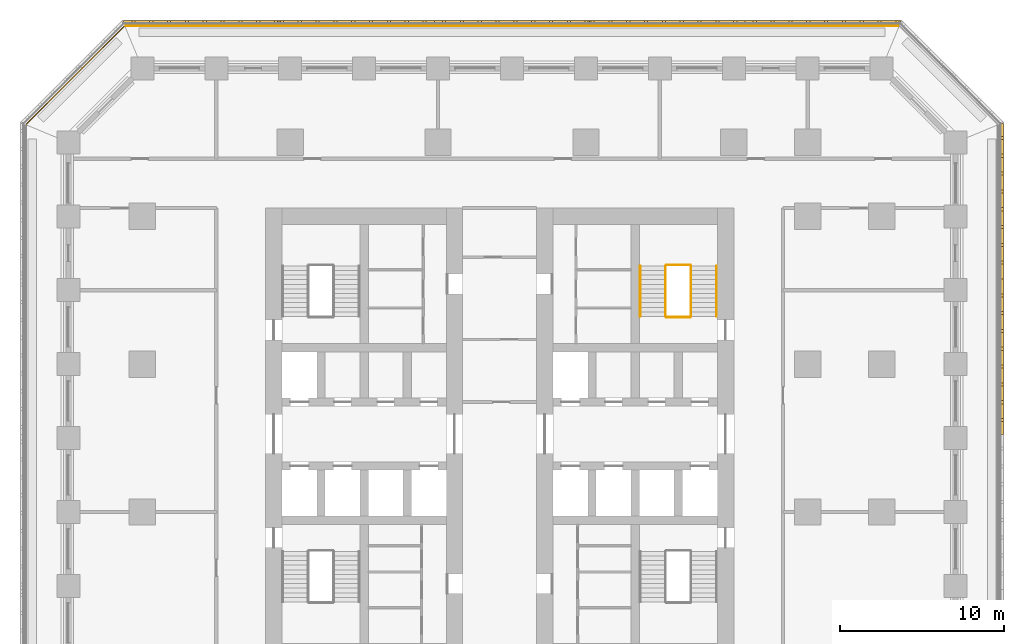
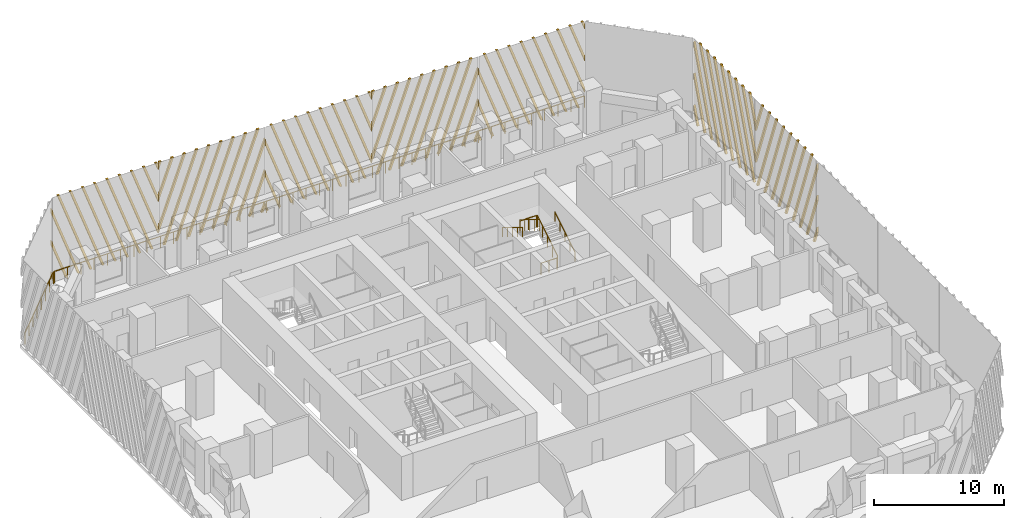
# One storey, part 12 of 14: 8 railings, 7 shading devices.
"""IFC4 building model written with IfcOpenShell, lengths in metres."""

from ifc_helpers import new_model, si_unit, direction, frame, origin, origin_2d, place, context, subcontext, project, spatial, polyline, circle, outline, extrude, source, transform, mapped, material, type_object, element, save


model = new_model("IFC4")

# Units and contexts
model_context = context("Model", 3, precision=1e-05, world=origin(), true_north=direction((0.0, 1.0)))
body_context = subcontext(model_context, "Body", "Model", "MODEL_VIEW")
ifc_project = project(units=[si_unit("LENGTHUNIT", "METRE"), si_unit("AREAUNIT", "SQUARE_METRE"), si_unit("VOLUMEUNIT", "CUBIC_METRE"), si_unit("PLANEANGLEUNIT", "RADIAN"), si_unit("MASSUNIT", "GRAM", prefix="KILO")], contexts=[model_context])

# Site, building, storey
site_placement = place(None, origin())
site = spatial("IfcSite", under=ifc_project, at=site_placement, CompositionType="ELEMENT")
building_placement = place(site_placement, origin())
building = spatial("IfcBuilding", under=site, at=building_placement, Name="Corbel Stack Research Tower", CompositionType="ELEMENT")
storey_placement = place(building_placement, frame((0.0, 0.0, 50.10009765625)))
storey = spatial("IfcBuildingStorey", under=building, at=storey_placement, Name="L11", CompositionType="ELEMENT", Elevation=50.10009765625)

# Railings
ifc_material_1 = material(Name="Steel S355", Category="steel")
railing_type_1 = type_object("IfcRailingType", Name="Stair guard 1100", PredefinedType="GUARDRAIL", material=ifc_material_1)
railing_1_placement = place(storey_placement, frame((15.39990234375, 11.89990234375, 0.170654296875)))
element("IfcRailing", 1, at=railing_1_placement, inside=storey, type_object=railing_type_1, Name="L11 ST-E2 stair guard 1", PredefinedType="GUARDRAIL", context=body_context, shape_type="SweptSolid", body=[
    extrude(circle(Radius=0.02392578125, at=origin_2d()), frame((0.0, 0.0, 1.076171875), z_axis=(0.0, 0.853666305674, 0.52082035152), x_axis=(-1.0, 0.0, 0.0)), (0.0, 0.0, 1.0), 3.608154296875),
    extrude(circle(Radius=0.02099609375, at=origin_2d()), origin(), (0.0, 0.0, 1.0), 1.052001953125),
    extrude(circle(Radius=0.02099609375, at=origin_2d()), frame((0.0, 0.77001953125, 0.4697265625)), (0.0, 0.0, 1.0), 1.052001953125),
    extrude(circle(Radius=0.02099609375, at=origin_2d()), frame((0.0, 1.5400390625, 0.939453125)), (0.0, 0.0, 1.0), 1.052001953125),
    extrude(circle(Radius=0.02099609375, at=origin_2d()), frame((0.0, 2.31005859375, 1.409423828125)), (0.0, 0.0, 1.0), 1.052001953125),
    extrude(circle(Radius=0.02099609375, at=origin_2d()), frame((0.0, 3.080078125, 1.879150390625)), (0.0, 0.0, 1.0), 1.052001953125),
])
railing_2_placement = place(storey_placement, frame((15.35009765625, 15.030029296875, 2.0498046875)))
element("IfcRailing", 2, at=railing_2_placement, inside=storey, type_object=railing_type_1, Name="L11 ST-E2 stair guard 2", PredefinedType="GUARDRAIL", context=body_context, shape_type="SweptSolid", body=[
    extrude(circle(Radius=0.02392578125, at=origin_2d()), frame((0.0, 0.0, 1.076171875), z_axis=(-1.0, 0.0, 0.0), x_axis=(0.0, -1.0, 0.0)), (0.0, 0.0, 1.0), 1.4501953125),
    extrude(circle(Radius=0.02099609375, at=origin_2d()), origin(), (0.0, 0.0, 1.0), 1.052001953125),
    extrude(circle(Radius=0.02099609375, at=origin_2d()), frame((-0.72509765625, 0.0, 0.0)), (0.0, 0.0, 1.0), 1.052001953125),
    extrude(circle(Radius=0.02099609375, at=origin_2d()), frame((-1.4501953125, 0.0, 0.0)), (0.0, 0.0, 1.0), 1.052001953125),
])
railing_3_placement = place(storey_placement, frame((13.85009765625, 14.97998046875, 2.220703125)))
element("IfcRailing", 3, at=railing_3_placement, inside=storey, type_object=railing_type_1, Name="L11 ST-E2 stair guard 3", PredefinedType="GUARDRAIL", context=body_context, shape_type="SweptSolid", body=[
    extrude(circle(Radius=0.02392578125, at=origin_2d()), frame((0.0, 0.0, 1.076171875), z_axis=(0.0, -0.853666305674, 0.52082035152), x_axis=(1.0, 0.0, 0.0)), (0.0, 0.0, 1.0), 3.608154296875),
    extrude(circle(Radius=0.02099609375, at=origin_2d()), origin(), (0.0, 0.0, 1.0), 1.052001953125),
    extrude(circle(Radius=0.02099609375, at=origin_2d()), frame((0.0, -0.77001953125, 0.4697265625)), (0.0, 0.0, 1.0), 1.052001953125),
    extrude(circle(Radius=0.02099609375, at=origin_2d()), frame((0.0, -1.5400390625, 0.939453125)), (0.0, 0.0, 1.0), 1.052001953125),
    extrude(circle(Radius=0.02099609375, at=origin_2d()), frame((0.0, -2.31005859375, 1.409423828125)), (0.0, 0.0, 1.0), 1.052001953125),
    extrude(circle(Radius=0.02099609375, at=origin_2d()), frame((0.0, -3.080078125, 1.879150390625)), (0.0, 0.0, 1.0), 1.052001953125),
])
railing_4_placement = place(storey_placement, frame((15.35009765625, 11.85009765625, 0.0)))
element("IfcRailing", 4, at=railing_4_placement, inside=storey, type_object=railing_type_1, Name="L11 ST-E2 stair guard 4", PredefinedType="GUARDRAIL", context=body_context, shape_type="SweptSolid", body=[
    extrude(circle(Radius=0.02392578125, at=origin_2d()), frame((0.0, 0.0, 1.076171875), z_axis=(-1.0, 0.0, 0.0), x_axis=(0.0, -1.0, 0.0)), (0.0, 0.0, 1.0), 1.4501953125),
    extrude(circle(Radius=0.02099609375, at=origin_2d()), origin(), (0.0, 0.0, 1.0), 1.052001953125),
    extrude(circle(Radius=0.02099609375, at=origin_2d()), frame((-0.72509765625, 0.0, 0.0)), (0.0, 0.0, 1.0), 1.052001953125),
    extrude(circle(Radius=0.02099609375, at=origin_2d()), frame((-1.4501953125, 0.0, 0.0)), (0.0, 0.0, 1.0), 1.052001953125),
])
ifc_material_2 = material(Name="Steel S355", Category="steel")
railing_type_2 = type_object("IfcRailingType", Name="Stair handrail 900", PredefinedType="HANDRAIL", material=ifc_material_2)
railing_5_placement = place(storey_placement, frame((16.949951171875, 11.89990234375, 0.170654296875)))
element("IfcRailing", 5, at=railing_5_placement, inside=storey, type_object=railing_type_2, Name="L11 ST-E2 stair handrail 1", PredefinedType="HANDRAIL", context=body_context, shape_type="SweptSolid", body=[
    extrude(circle(Radius=0.02392578125, at=origin_2d()), frame((0.0, 0.0, 0.8759765625), z_axis=(0.0, 0.853666305674, 0.52082035152), x_axis=(-1.0, 0.0, 0.0)), (0.0, 0.0, 1.0), 3.608154296875),
    extrude(circle(Radius=0.02099609375, at=origin_2d()), origin(), (0.0, 0.0, 1.0), 0.851806640625),
    extrude(circle(Radius=0.02099609375, at=origin_2d()), frame((0.0, 0.77001953125, 0.4697265625)), (0.0, 0.0, 1.0), 0.851806640625),
    extrude(circle(Radius=0.02099609375, at=origin_2d()), frame((0.0, 1.5400390625, 0.939453125)), (0.0, 0.0, 1.0), 0.851806640625),
    extrude(circle(Radius=0.02099609375, at=origin_2d()), frame((0.0, 2.31005859375, 1.409423828125)), (0.0, 0.0, 1.0), 0.851806640625),
    extrude(circle(Radius=0.02099609375, at=origin_2d()), frame((0.0, 3.080078125, 1.879150390625)), (0.0, 0.0, 1.0), 0.851806640625),
])
railing_6_placement = place(storey_placement, frame((12.300048828125, 14.97998046875, 2.220703125)))
element("IfcRailing", 6, at=railing_6_placement, inside=storey, type_object=railing_type_2, Name="L11 ST-E2 stair handrail 2", PredefinedType="HANDRAIL", context=body_context, shape_type="SweptSolid", body=[
    extrude(circle(Radius=0.02392578125, at=origin_2d()), frame((0.0, 0.0, 0.8759765625), z_axis=(0.0, -0.853666305674, 0.52082035152), x_axis=(1.0, 0.0, 0.0)), (0.0, 0.0, 1.0), 3.608154296875),
    extrude(circle(Radius=0.02099609375, at=origin_2d()), origin(), (0.0, 0.0, 1.0), 0.851806640625),
    extrude(circle(Radius=0.02099609375, at=origin_2d()), frame((0.0, -0.77001953125, 0.4697265625)), (0.0, 0.0, 1.0), 0.851806640625),
    extrude(circle(Radius=0.02099609375, at=origin_2d()), frame((0.0, -1.5400390625, 0.939453125)), (0.0, 0.0, 1.0), 0.851806640625),
    extrude(circle(Radius=0.02099609375, at=origin_2d()), frame((0.0, -2.31005859375, 1.409423828125)), (0.0, 0.0, 1.0), 0.851806640625),
    extrude(circle(Radius=0.02099609375, at=origin_2d()), frame((0.0, -3.080078125, 1.879150390625)), (0.0, 0.0, 1.0), 0.851806640625),
])
ifc_material_3 = material(Name="Powder-coated steel guard", Category="steel")
railing_type_3 = type_object("IfcRailingType", Name="Steel and glass guard 1100", PredefinedType="GUARDRAIL", material=ifc_material_3)
railing_7_placement = place(storey_placement, frame((28.00537109375, 29.60009765625, 0.0)))
element("IfcRailing", 7, at=railing_7_placement, inside=storey, type_object=railing_type_3, Name="Loggia guard L11 N", PredefinedType="GUARDRAIL", context=body_context, shape_type="SweptSolid", body=[
    extrude(circle(Radius=0.02392578125, at=origin_2d()), frame((0.0, 0.0, 1.076171875), z_axis=(-1.0, 0.0, 0.0), x_axis=(0.0, -1.0, 0.0)), (0.0, 0.0, 1.0), 47.0107421875),
    extrude(circle(Radius=0.02099609375, at=origin_2d()), origin(), (0.0, 0.0, 1.0), 1.052001953125),
    extrude(circle(Radius=0.02099609375, at=origin_2d()), frame((-1.17529296875, 0.0, 0.0)), (0.0, 0.0, 1.0), 1.052001953125),
    extrude(circle(Radius=0.02099609375, at=origin_2d()), frame((-2.3505859375, 0.0, 0.0)), (0.0, 0.0, 1.0), 1.052001953125),
    extrude(circle(Radius=0.02099609375, at=origin_2d()), frame((-3.52587890625, 0.0, 0.0)), (0.0, 0.0, 1.0), 1.052001953125),
    extrude(circle(Radius=0.02099609375, at=origin_2d()), frame((-4.701171875, 0.0, 0.0)), (0.0, 0.0, 1.0), 1.052001953125),
    extrude(circle(Radius=0.02099609375, at=origin_2d()), frame((-5.87646484375, 0.0, 0.0)), (0.0, 0.0, 1.0), 1.052001953125),
    extrude(circle(Radius=0.02099609375, at=origin_2d()), frame((-7.051513671875, 0.0, 0.0)), (0.0, 0.0, 1.0), 1.052001953125),
    extrude(circle(Radius=0.02099609375, at=origin_2d()), frame((-8.226806640625, 0.0, 0.0)), (0.0, 0.0, 1.0), 1.052001953125),
    extrude(circle(Radius=0.02099609375, at=origin_2d()), frame((-9.402099609375, 0.0, 0.0)), (0.0, 0.0, 1.0), 1.052001953125),
    extrude(circle(Radius=0.02099609375, at=origin_2d()), frame((-10.577392578125, 0.0, 0.0)), (0.0, 0.0, 1.0), 1.052001953125),
    extrude(circle(Radius=0.02099609375, at=origin_2d()), frame((-11.752685546875, 0.0, 0.0)), (0.0, 0.0, 1.0), 1.052001953125),
    extrude(circle(Radius=0.02099609375, at=origin_2d()), frame((-12.927978515625, 0.0, 0.0)), (0.0, 0.0, 1.0), 1.052001953125),
    extrude(circle(Radius=0.02099609375, at=origin_2d()), frame((-14.103271484375, 0.0, 0.0)), (0.0, 0.0, 1.0), 1.052001953125),
    extrude(circle(Radius=0.02099609375, at=origin_2d()), frame((-15.278564453125, 0.0, 0.0)), (0.0, 0.0, 1.0), 1.052001953125),
    extrude(circle(Radius=0.02099609375, at=origin_2d()), frame((-16.453857421875, 0.0, 0.0)), (0.0, 0.0, 1.0), 1.052001953125),
    extrude(circle(Radius=0.02099609375, at=origin_2d()), frame((-17.62890625, 0.0, 0.0)), (0.0, 0.0, 1.0), 1.052001953125),
    extrude(circle(Radius=0.02099609375, at=origin_2d()), frame((-18.80419921875, 0.0, 0.0)), (0.0, 0.0, 1.0), 1.052001953125),
    extrude(circle(Radius=0.02099609375, at=origin_2d()), frame((-19.9794921875, 0.0, 0.0)), (0.0, 0.0, 1.0), 1.052001953125),
    extrude(circle(Radius=0.02099609375, at=origin_2d()), frame((-21.15478515625, 0.0, 0.0)), (0.0, 0.0, 1.0), 1.052001953125),
    extrude(circle(Radius=0.02099609375, at=origin_2d()), frame((-22.330078125, 0.0, 0.0)), (0.0, 0.0, 1.0), 1.052001953125),
    extrude(circle(Radius=0.02099609375, at=origin_2d()), frame((-23.50537109375, 0.0, 0.0)), (0.0, 0.0, 1.0), 1.052001953125),
    extrude(circle(Radius=0.02099609375, at=origin_2d()), frame((-24.6806640625, 0.0, 0.0)), (0.0, 0.0, 1.0), 1.052001953125),
    extrude(circle(Radius=0.02099609375, at=origin_2d()), frame((-25.85595703125, 0.0, 0.0)), (0.0, 0.0, 1.0), 1.052001953125),
    extrude(circle(Radius=0.02099609375, at=origin_2d()), frame((-27.03125, 0.0, 0.0)), (0.0, 0.0, 1.0), 1.052001953125),
    extrude(circle(Radius=0.02099609375, at=origin_2d()), frame((-28.20654296875, 0.0, 0.0)), (0.0, 0.0, 1.0), 1.052001953125),
    extrude(circle(Radius=0.02099609375, at=origin_2d()), frame((-29.3818359375, 0.0, 0.0)), (0.0, 0.0, 1.0), 1.052001953125),
    extrude(circle(Radius=0.02099609375, at=origin_2d()), frame((-30.556884765625, 0.0, 0.0)), (0.0, 0.0, 1.0), 1.052001953125),
    extrude(circle(Radius=0.02099609375, at=origin_2d()), frame((-31.732177734375, 0.0, 0.0)), (0.0, 0.0, 1.0), 1.052001953125),
    extrude(circle(Radius=0.02099609375, at=origin_2d()), frame((-32.907470703125, 0.0, 0.0)), (0.0, 0.0, 1.0), 1.052001953125),
    extrude(circle(Radius=0.02099609375, at=origin_2d()), frame((-34.082763671875, 0.0, 0.0)), (0.0, 0.0, 1.0), 1.052001953125),
    extrude(circle(Radius=0.02099609375, at=origin_2d()), frame((-35.258056640625, 0.0, 0.0)), (0.0, 0.0, 1.0), 1.052001953125),
    extrude(circle(Radius=0.02099609375, at=origin_2d()), frame((-36.433349609375, 0.0, 0.0)), (0.0, 0.0, 1.0), 1.052001953125),
    extrude(circle(Radius=0.02099609375, at=origin_2d()), frame((-37.608642578125, 0.0, 0.0)), (0.0, 0.0, 1.0), 1.052001953125),
    extrude(circle(Radius=0.02099609375, at=origin_2d()), frame((-38.783935546875, 0.0, 0.0)), (0.0, 0.0, 1.0), 1.052001953125),
    extrude(circle(Radius=0.02099609375, at=origin_2d()), frame((-39.959228515625, 0.0, 0.0)), (0.0, 0.0, 1.0), 1.052001953125),
    extrude(circle(Radius=0.02099609375, at=origin_2d()), frame((-41.13427734375, 0.0, 0.0)), (0.0, 0.0, 1.0), 1.052001953125),
    extrude(circle(Radius=0.02099609375, at=origin_2d()), frame((-42.3095703125, 0.0, 0.0)), (0.0, 0.0, 1.0), 1.052001953125),
    extrude(circle(Radius=0.02099609375, at=origin_2d()), frame((-43.48486328125, 0.0, 0.0)), (0.0, 0.0, 1.0), 1.052001953125),
    extrude(circle(Radius=0.02099609375, at=origin_2d()), frame((-44.66015625, 0.0, 0.0)), (0.0, 0.0, 1.0), 1.052001953125),
    extrude(circle(Radius=0.02099609375, at=origin_2d()), frame((-45.83544921875, 0.0, 0.0)), (0.0, 0.0, 1.0), 1.052001953125),
    extrude(circle(Radius=0.02099609375, at=origin_2d()), frame((-47.0107421875, 0.0, 0.0)), (0.0, 0.0, 1.0), 1.052001953125),
])
railing_8_placement = place(storey_placement, frame((-19.127685546875, 29.54931640625, 0.0)))
element("IfcRailing", 8, at=railing_8_placement, inside=storey, type_object=railing_type_3, Name="Loggia guard L11 NW", PredefinedType="GUARDRAIL", context=body_context, shape_type="SweptSolid", body=[
    extrude(circle(Radius=0.02392578125, at=origin_2d()), frame((0.0, 0.0, 1.076171875), z_axis=(-0.707106781187, -0.707106781187, 0.0), x_axis=(0.707106781187, -0.707106781187, 0.0)), (0.0, 0.0, 1.0), 8.37451171875),
    extrude(circle(Radius=0.02099609375, at=origin_2d()), origin(), (0.0, 0.0, 1.0), 1.052001953125),
    extrude(circle(Radius=0.02099609375, at=origin_2d()), frame((-0.845947265625, -0.845947265625, 0.0)), (0.0, 0.0, 1.0), 1.052001953125),
    extrude(circle(Radius=0.02099609375, at=origin_2d()), frame((-1.69189453125, -1.69189453125, 0.0)), (0.0, 0.0, 1.0), 1.052001953125),
    extrude(circle(Radius=0.02099609375, at=origin_2d()), frame((-2.537841796875, -2.537841796875, 0.0)), (0.0, 0.0, 1.0), 1.052001953125),
    extrude(circle(Radius=0.02099609375, at=origin_2d()), frame((-3.3837890625, -3.3837890625, 0.0)), (0.0, 0.0, 1.0), 1.052001953125),
    extrude(circle(Radius=0.02099609375, at=origin_2d()), frame((-4.229736328125, -4.229736328125, 0.0)), (0.0, 0.0, 1.0), 1.052001953125),
    extrude(circle(Radius=0.02099609375, at=origin_2d()), frame((-5.07568359375, -5.07568359375, 0.0)), (0.0, 0.0, 1.0), 1.052001953125),
    extrude(circle(Radius=0.02099609375, at=origin_2d()), frame((-5.921630859375, -5.921630859375, 0.0)), (0.0, 0.0, 1.0), 1.052001953125),
])

# Shading devices
ifc_material_4 = material(Name="Precast terracotta", Category="masonry")
shading_device_type = type_object("IfcShadingDeviceType", Name="Terracotta screen panel", PredefinedType="USERDEFINED", material=ifc_material_4)
shared_shape_1 = source(origin(), body_context, "Body", "SweptSolid", [
    extrude(outline(polyline([(1.09033203125, 7.949951171875), (0.900390625, 7.949951171875), (0.0, 5.476318359375), (0.0, 4.9541015625), (1.09033203125, 7.949951171875)])), frame((0.0, 0.0, 0.0), z_axis=(0.0, -1.0, 0.0), x_axis=(1.0, 0.0, 0.0)), (0.0, 0.0, 1.0), 0.179931640625),
    extrude(outline(polyline([(2.175048828125, 7.949951171875), (1.985107421875, 7.949951171875), (0.0, 2.49609375), (0.0, 1.97412109375), (2.175048828125, 7.949951171875)])), frame((0.0, 0.0, 0.0), z_axis=(0.0, -1.0, 0.0), x_axis=(1.0, 0.0, 0.0)), (0.0, 0.0, 1.0), 0.179931640625),
    extrude(outline(polyline([(0.3662109375, 0.0), (3.259765625, 7.949951171875), (3.069580078125, 7.949951171875), (0.17626953125, 0.0), (0.3662109375, 0.0)])), frame((0.0, 0.0, 0.0), z_axis=(0.0, -1.0, 0.0), x_axis=(1.0, 0.0, 0.0)), (0.0, 0.0, 1.0), 0.179931640625),
    extrude(outline(polyline([(1.45068359375, 0.0), (4.344482421875, 7.949951171875), (4.154296875, 7.949951171875), (1.2607421875, 0.0), (1.45068359375, 0.0)])), frame((0.0, 0.0, 0.0), z_axis=(0.0, -1.0, 0.0), x_axis=(1.0, 0.0, 0.0)), (0.0, 0.0, 1.0), 0.179931640625),
    extrude(outline(polyline([(2.535400390625, 0.0), (5.42919921875, 7.949951171875), (5.239013671875, 7.949951171875), (2.345458984375, 0.0), (2.535400390625, 0.0)])), frame((0.0, 0.0, 0.0), z_axis=(0.0, -1.0, 0.0), x_axis=(1.0, 0.0, 0.0)), (0.0, 0.0, 1.0), 0.179931640625),
    extrude(outline(polyline([(3.6201171875, 0.0), (6.513671875, 7.949951171875), (6.32373046875, 7.949951171875), (3.43017578125, 0.0), (3.6201171875, 0.0)])), frame((0.0, 0.0, 0.0), z_axis=(0.0, -1.0, 0.0), x_axis=(1.0, 0.0, 0.0)), (0.0, 0.0, 1.0), 0.179931640625),
    extrude(outline(polyline([(4.704833984375, 0.0), (7.598388671875, 7.949951171875), (7.408447265625, 7.949951171875), (4.514892578125, 0.0), (4.704833984375, 0.0)])), frame((0.0, 0.0, 0.0), z_axis=(0.0, -1.0, 0.0), x_axis=(1.0, 0.0, 0.0)), (0.0, 0.0, 1.0), 0.179931640625),
    extrude(outline(polyline([(5.78955078125, 0.0), (8.68310546875, 7.949951171875), (8.4931640625, 7.949951171875), (5.599609375, 0.0), (5.78955078125, 0.0)])), frame((0.0, 0.0, 0.0), z_axis=(0.0, -1.0, 0.0), x_axis=(1.0, 0.0, 0.0)), (0.0, 0.0, 1.0), 0.179931640625),
    extrude(outline(polyline([(6.874267578125, 0.0), (9.45556640625, 7.092529296875), (9.45556640625, 7.614501953125), (6.68408203125, 0.0), (6.874267578125, 0.0)])), frame((0.0, 0.0, 0.0), z_axis=(0.0, -1.0, 0.0), x_axis=(1.0, 0.0, 0.0)), (0.0, 0.0, 1.0), 0.179931640625),
    extrude(outline(polyline([(7.958740234375, 0.0), (9.45556640625, 4.1123046875), (9.45556640625, 4.634521484375), (7.768798828125, 0.0), (7.958740234375, 0.0)])), frame((0.0, 0.0, 0.0), z_axis=(0.0, -1.0, 0.0), x_axis=(1.0, 0.0, 0.0)), (0.0, 0.0, 1.0), 0.179931640625),
    extrude(outline(polyline([(9.04345703125, 0.0), (9.45556640625, 1.13232421875), (9.45556640625, 1.654296875), (8.853515625, 0.0), (9.04345703125, 0.0)])), frame((0.0, 0.0, 0.0), z_axis=(0.0, -1.0, 0.0), x_axis=(1.0, 0.0, 0.0)), (0.0, 0.0, 1.0), 0.179931640625),
])
shading_device_1_placement = place(storey_placement, frame((34.25, 14.18359375, 0.0), z_axis=(0.0, 0.0, 1.0), x_axis=(0.0, 1.0, 0.0)))
element("IfcShadingDevice", 9, at=shading_device_1_placement, inside=storey, type_object=shading_device_type, Name="Terracotta screen L11 E5", ObjectType="SCREEN", PredefinedType="USERDEFINED", context=body_context, shape_type="MappedRepresentation", body=[
    mapped(shared_shape_1, transform((0.0, 0.0, 0.0))),
])
shared_shape_2 = source(origin(), body_context, "Body", "SweptSolid", [
    extrude(outline(polyline([(0.60205078125, 0.0), (0.0, 1.654296875), (0.0, 1.13232421875), (0.412109375, 0.0), (0.60205078125, 0.0)])), frame((0.0, 0.0, 0.0), z_axis=(0.0, -1.0, 0.0), x_axis=(1.0, 0.0, 0.0)), (0.0, 0.0, 1.0), 0.179931640625),
    extrude(outline(polyline([(1.686767578125, 0.0), (0.0, 4.634521484375), (0.0, 4.1123046875), (1.496826171875, 0.0), (1.686767578125, 0.0)])), frame((0.0, 0.0, 0.0), z_axis=(0.0, -1.0, 0.0), x_axis=(1.0, 0.0, 0.0)), (0.0, 0.0, 1.0), 0.179931640625),
    extrude(outline(polyline([(2.771484375, 0.0), (0.0, 7.614501953125), (0.0, 7.092529296875), (2.58154296875, 0.0), (2.771484375, 0.0)])), frame((0.0, 0.0, 0.0), z_axis=(0.0, -1.0, 0.0), x_axis=(1.0, 0.0, 0.0)), (0.0, 0.0, 1.0), 0.179931640625),
    extrude(outline(polyline([(3.856201171875, 0.0), (0.962646484375, 7.949951171875), (0.772705078125, 7.949951171875), (3.666015625, 0.0), (3.856201171875, 0.0)])), frame((0.0, 0.0, 0.0), z_axis=(0.0, -1.0, 0.0), x_axis=(1.0, 0.0, 0.0)), (0.0, 0.0, 1.0), 0.179931640625),
    extrude(outline(polyline([(4.94091796875, 0.0), (2.047119140625, 7.949951171875), (1.857177734375, 7.949951171875), (4.750732421875, 0.0), (4.94091796875, 0.0)])), frame((0.0, 0.0, 0.0), z_axis=(0.0, -1.0, 0.0), x_axis=(1.0, 0.0, 0.0)), (0.0, 0.0, 1.0), 0.179931640625),
    extrude(outline(polyline([(6.025390625, 0.0), (3.1318359375, 7.949951171875), (2.94189453125, 7.949951171875), (5.83544921875, 0.0), (6.025390625, 0.0)])), frame((0.0, 0.0, 0.0), z_axis=(0.0, -1.0, 0.0), x_axis=(1.0, 0.0, 0.0)), (0.0, 0.0, 1.0), 0.179931640625),
    extrude(outline(polyline([(7.110107421875, 0.0), (4.216552734375, 7.949951171875), (4.026611328125, 7.949951171875), (6.920166015625, 0.0), (7.110107421875, 0.0)])), frame((0.0, 0.0, 0.0), z_axis=(0.0, -1.0, 0.0), x_axis=(1.0, 0.0, 0.0)), (0.0, 0.0, 1.0), 0.179931640625),
    extrude(outline(polyline([(8.19482421875, 0.0), (5.30126953125, 7.949951171875), (5.111083984375, 7.949951171875), (8.0048828125, 0.0), (8.19482421875, 0.0)])), frame((0.0, 0.0, 0.0), z_axis=(0.0, -1.0, 0.0), x_axis=(1.0, 0.0, 0.0)), (0.0, 0.0, 1.0), 0.179931640625),
    extrude(outline(polyline([(9.279541015625, 0.0), (6.385986328125, 7.949951171875), (6.19580078125, 7.949951171875), (9.089599609375, 0.0), (9.279541015625, 0.0)])), frame((0.0, 0.0, 0.0), z_axis=(0.0, -1.0, 0.0), x_axis=(1.0, 0.0, 0.0)), (0.0, 0.0, 1.0), 0.179931640625),
    extrude(outline(polyline([(7.470703125, 7.949951171875), (7.280517578125, 7.949951171875), (9.45556640625, 1.97412109375), (9.45556640625, 2.49609375), (7.470703125, 7.949951171875)])), frame((0.0, 0.0, 0.0), z_axis=(0.0, -1.0, 0.0), x_axis=(1.0, 0.0, 0.0)), (0.0, 0.0, 1.0), 0.179931640625),
    extrude(outline(polyline([(8.55517578125, 7.949951171875), (8.365234375, 7.949951171875), (9.45556640625, 4.9541015625), (9.45556640625, 5.476318359375), (8.55517578125, 7.949951171875)])), frame((0.0, 0.0, 0.0), z_axis=(0.0, -1.0, 0.0), x_axis=(1.0, 0.0, 0.0)), (0.0, 0.0, 1.0), 0.179931640625),
])
shading_device_2_placement = place(storey_placement, frame((34.25, 4.727783203125, 0.0), z_axis=(0.0, 0.0, 1.0), x_axis=(0.0, 1.0, 0.0)))
element("IfcShadingDevice", 10, at=shading_device_2_placement, inside=storey, type_object=shading_device_type, Name="Terracotta screen L11 E4", ObjectType="SCREEN", PredefinedType="USERDEFINED", context=body_context, shape_type="MappedRepresentation", body=[
    mapped(shared_shape_2, transform((0.0, 0.0, 0.0))),
])
shared_shape_3 = source(origin(), body_context, "Body", "SweptSolid", [
    extrude(outline(polyline([(0.27685546875, 7.949951171875), (0.0869140625, 7.949951171875), (0.0, 7.711181640625), (0.0, 7.189208984375), (0.27685546875, 7.949951171875)])), frame((0.0, 0.0, 0.0), z_axis=(0.0, -1.0, 0.0), x_axis=(1.0, 0.0, 0.0)), (0.0, 0.0, 1.0), 0.179931640625),
    extrude(outline(polyline([(1.361572265625, 7.949951171875), (1.171630859375, 7.949951171875), (0.0, 4.731201171875), (0.0, 4.208984375), (1.361572265625, 7.949951171875)])), frame((0.0, 0.0, 0.0), z_axis=(0.0, -1.0, 0.0), x_axis=(1.0, 0.0, 0.0)), (0.0, 0.0, 1.0), 0.179931640625),
    extrude(outline(polyline([(2.4462890625, 7.949951171875), (2.256103515625, 7.949951171875), (0.0, 1.751220703125), (0.0, 1.22900390625), (2.4462890625, 7.949951171875)])), frame((0.0, 0.0, 0.0), z_axis=(0.0, -1.0, 0.0), x_axis=(1.0, 0.0, 0.0)), (0.0, 0.0, 1.0), 0.179931640625),
    extrude(outline(polyline([(0.63720703125, 0.0), (3.531005859375, 7.949951171875), (3.3408203125, 7.949951171875), (0.447265625, 0.0), (0.63720703125, 0.0)])), frame((0.0, 0.0, 0.0), z_axis=(0.0, -1.0, 0.0), x_axis=(1.0, 0.0, 0.0)), (0.0, 0.0, 1.0), 0.179931640625),
    extrude(outline(polyline([(1.721923828125, 0.0), (4.615478515625, 7.949951171875), (4.425537109375, 7.949951171875), (1.531982421875, 0.0), (1.721923828125, 0.0)])), frame((0.0, 0.0, 0.0), z_axis=(0.0, -1.0, 0.0), x_axis=(1.0, 0.0, 0.0)), (0.0, 0.0, 1.0), 0.179931640625),
    extrude(outline(polyline([(2.806640625, 0.0), (5.7001953125, 7.949951171875), (5.51025390625, 7.949951171875), (2.61669921875, 0.0), (2.806640625, 0.0)])), frame((0.0, 0.0, 0.0), z_axis=(0.0, -1.0, 0.0), x_axis=(1.0, 0.0, 0.0)), (0.0, 0.0, 1.0), 0.179931640625),
    extrude(outline(polyline([(3.891357421875, 0.0), (6.784912109375, 7.949951171875), (6.594970703125, 7.949951171875), (3.701416015625, 0.0), (3.891357421875, 0.0)])), frame((0.0, 0.0, 0.0), z_axis=(0.0, -1.0, 0.0), x_axis=(1.0, 0.0, 0.0)), (0.0, 0.0, 1.0), 0.179931640625),
    extrude(outline(polyline([(4.97607421875, 0.0), (7.86962890625, 7.949951171875), (7.6796875, 7.949951171875), (4.785888671875, 0.0), (4.97607421875, 0.0)])), frame((0.0, 0.0, 0.0), z_axis=(0.0, -1.0, 0.0), x_axis=(1.0, 0.0, 0.0)), (0.0, 0.0, 1.0), 0.179931640625),
    extrude(outline(polyline([(6.060791015625, 0.0), (8.9541015625, 7.949951171875), (8.76416015625, 7.949951171875), (5.87060546875, 0.0), (6.060791015625, 0.0)])), frame((0.0, 0.0, 0.0), z_axis=(0.0, -1.0, 0.0), x_axis=(1.0, 0.0, 0.0)), (0.0, 0.0, 1.0), 0.179931640625),
    extrude(outline(polyline([(7.145263671875, 0.0), (9.45556640625, 6.347412109375), (9.45556640625, 6.869384765625), (6.955322265625, 0.0), (7.145263671875, 0.0)])), frame((0.0, 0.0, 0.0), z_axis=(0.0, -1.0, 0.0), x_axis=(1.0, 0.0, 0.0)), (0.0, 0.0, 1.0), 0.179931640625),
    extrude(outline(polyline([(8.22998046875, 0.0), (9.45556640625, 3.367431640625), (9.45556640625, 3.889404296875), (8.0400390625, 0.0), (8.22998046875, 0.0)])), frame((0.0, 0.0, 0.0), z_axis=(0.0, -1.0, 0.0), x_axis=(1.0, 0.0, 0.0)), (0.0, 0.0, 1.0), 0.179931640625),
    extrude(outline(polyline([(9.314697265625, 0.0), (9.45556640625, 0.38720703125), (9.45556640625, 0.9091796875), (9.124755859375, 0.0), (9.314697265625, 0.0)])), frame((0.0, 0.0, 0.0), z_axis=(0.0, -1.0, 0.0), x_axis=(1.0, 0.0, 0.0)), (0.0, 0.0, 1.0), 0.179931640625),
])
for number, where, z_axis, x_axis, name in (
    (11, (28.13916015625, 29.75, 0.0), (0.0, 0.0, 1.0), (-1.0, 0.0, 0.0), "Terracotta screen L11 N1"),
    (12, (9.227783203125, 29.75, 0.0), (0.0, 0.0, 1.0), (-1.0, 0.0, 0.0), "Terracotta screen L11 N3"),
    (13, (-9.68359375, 29.75, 0.0), (0.0, 0.0, 1.0), (-1.0, 0.0, 0.0), "Terracotta screen L11 N5"),
):
    element("IfcShadingDevice", number, at=place(storey_placement, frame(where, z_axis=z_axis, x_axis=x_axis)), inside=storey, type_object=shading_device_type, Name=name, ObjectType="SCREEN", PredefinedType="USERDEFINED", context=body_context, shape_type="MappedRepresentation", body=[
        mapped(shared_shape_3, transform((0.0, 0.0, 0.0))),
    ])
shared_shape_4 = source(origin(), body_context, "Body", "SweptSolid", [
    extrude(outline(polyline([(0.3310546875, 0.0), (0.0, 0.9091796875), (0.0, 0.38720703125), (0.14111328125, 0.0), (0.3310546875, 0.0)])), frame((0.0, 0.0, 0.0), z_axis=(0.0, -1.0, 0.0), x_axis=(1.0, 0.0, 0.0)), (0.0, 0.0, 1.0), 0.179931640625),
    extrude(outline(polyline([(1.41552734375, 0.0), (0.0, 3.889404296875), (0.0, 3.367431640625), (1.2255859375, 0.0), (1.41552734375, 0.0)])), frame((0.0, 0.0, 0.0), z_axis=(0.0, -1.0, 0.0), x_axis=(1.0, 0.0, 0.0)), (0.0, 0.0, 1.0), 0.179931640625),
    extrude(outline(polyline([(2.500244140625, 0.0), (0.0, 6.869384765625), (0.0, 6.347412109375), (2.310302734375, 0.0), (2.500244140625, 0.0)])), frame((0.0, 0.0, 0.0), z_axis=(0.0, -1.0, 0.0), x_axis=(1.0, 0.0, 0.0)), (0.0, 0.0, 1.0), 0.179931640625),
    extrude(outline(polyline([(3.5849609375, 0.0), (0.69140625, 7.949951171875), (0.50146484375, 7.949951171875), (3.39501953125, 0.0), (3.5849609375, 0.0)])), frame((0.0, 0.0, 0.0), z_axis=(0.0, -1.0, 0.0), x_axis=(1.0, 0.0, 0.0)), (0.0, 0.0, 1.0), 0.179931640625),
    extrude(outline(polyline([(4.669677734375, 0.0), (1.776123046875, 7.949951171875), (1.586181640625, 7.949951171875), (4.4794921875, 0.0), (4.669677734375, 0.0)])), frame((0.0, 0.0, 0.0), z_axis=(0.0, -1.0, 0.0), x_axis=(1.0, 0.0, 0.0)), (0.0, 0.0, 1.0), 0.179931640625),
    extrude(outline(polyline([(5.75439453125, 0.0), (2.860595703125, 7.949951171875), (2.670654296875, 7.949951171875), (5.564208984375, 0.0), (5.75439453125, 0.0)])), frame((0.0, 0.0, 0.0), z_axis=(0.0, -1.0, 0.0), x_axis=(1.0, 0.0, 0.0)), (0.0, 0.0, 1.0), 0.179931640625),
    extrude(outline(polyline([(6.839111328125, 0.0), (3.9453125, 7.949951171875), (3.75537109375, 7.949951171875), (6.64892578125, 0.0), (6.839111328125, 0.0)])), frame((0.0, 0.0, 0.0), z_axis=(0.0, -1.0, 0.0), x_axis=(1.0, 0.0, 0.0)), (0.0, 0.0, 1.0), 0.179931640625),
    extrude(outline(polyline([(7.923583984375, 0.0), (5.030029296875, 7.949951171875), (4.840087890625, 7.949951171875), (7.733642578125, 0.0), (7.923583984375, 0.0)])), frame((0.0, 0.0, 0.0), z_axis=(0.0, -1.0, 0.0), x_axis=(1.0, 0.0, 0.0)), (0.0, 0.0, 1.0), 0.179931640625),
    extrude(outline(polyline([(9.00830078125, 0.0), (6.11474609375, 7.949951171875), (5.9248046875, 7.949951171875), (8.818359375, 0.0), (9.00830078125, 0.0)])), frame((0.0, 0.0, 0.0), z_axis=(0.0, -1.0, 0.0), x_axis=(1.0, 0.0, 0.0)), (0.0, 0.0, 1.0), 0.179931640625),
    extrude(outline(polyline([(7.199462890625, 7.949951171875), (7.009521484375, 7.949951171875), (9.45556640625, 1.22900390625), (9.45556640625, 1.751220703125), (7.199462890625, 7.949951171875)])), frame((0.0, 0.0, 0.0), z_axis=(0.0, -1.0, 0.0), x_axis=(1.0, 0.0, 0.0)), (0.0, 0.0, 1.0), 0.179931640625),
    extrude(outline(polyline([(8.2841796875, 7.949951171875), (8.093994140625, 7.949951171875), (9.45556640625, 4.208984375), (9.45556640625, 4.731201171875), (8.2841796875, 7.949951171875)])), frame((0.0, 0.0, 0.0), z_axis=(0.0, -1.0, 0.0), x_axis=(1.0, 0.0, 0.0)), (0.0, 0.0, 1.0), 0.179931640625),
    extrude(outline(polyline([(9.36865234375, 7.949951171875), (9.1787109375, 7.949951171875), (9.45556640625, 7.189208984375), (9.45556640625, 7.711181640625), (9.36865234375, 7.949951171875)])), frame((0.0, 0.0, 0.0), z_axis=(0.0, -1.0, 0.0), x_axis=(1.0, 0.0, 0.0)), (0.0, 0.0, 1.0), 0.179931640625),
])
for number, where, z_axis, x_axis, name in (
    (14, (18.68359375, 29.75, 0.0), (0.0, 0.0, 1.0), (-1.0, 0.0, 0.0), "Terracotta screen L11 N2"),
    (15, (-0.227783203125, 29.75, 0.0), (0.0, 0.0, 1.0), (-1.0, 0.0, 0.0), "Terracotta screen L11 N4"),
):
    element("IfcShadingDevice", number, at=place(storey_placement, frame(where, z_axis=z_axis, x_axis=x_axis)), inside=storey, type_object=shading_device_type, Name=name, ObjectType="SCREEN", PredefinedType="USERDEFINED", context=body_context, shape_type="MappedRepresentation", body=[
        mapped(shared_shape_4, transform((0.0, 0.0, 0.0))),
    ])

save(model, "model.ifc")
